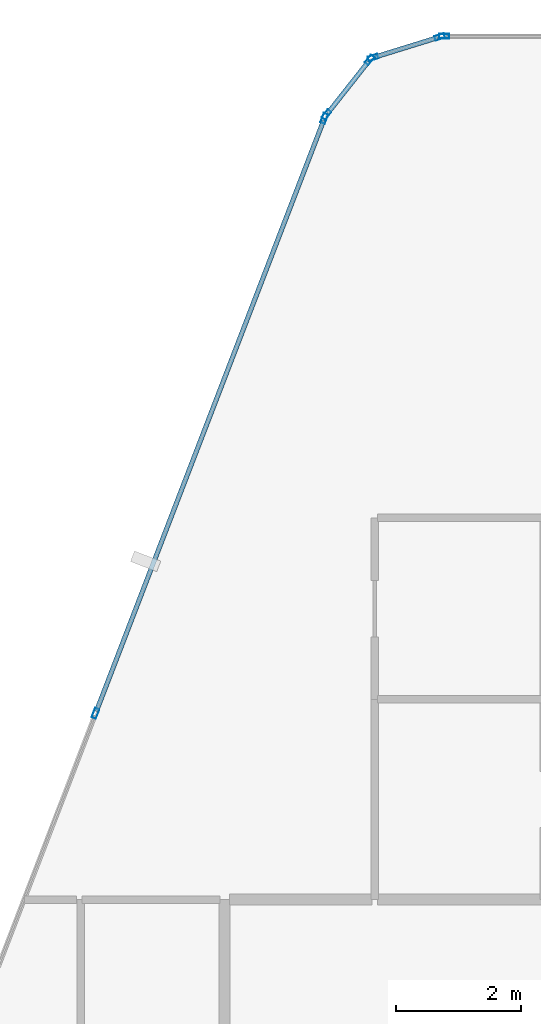
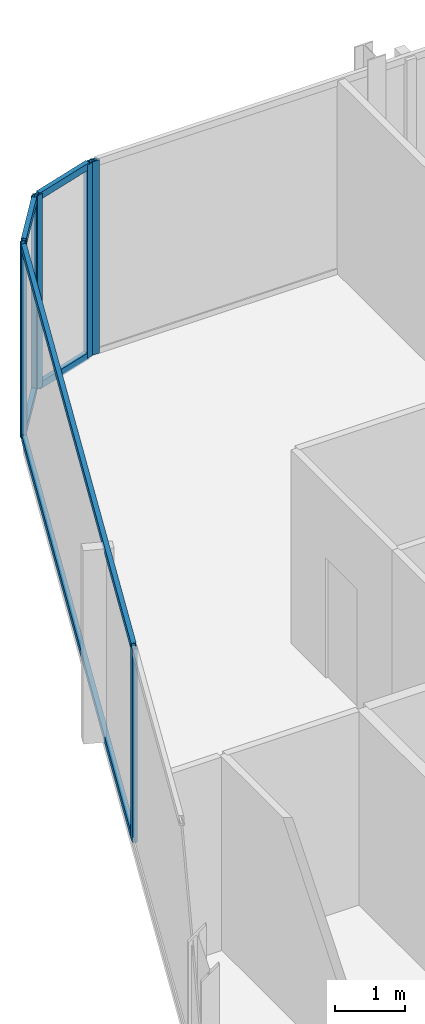
# One storey, part 17 of 30: 13 members, 4 elements without a shape of their own.
"""IFC4 building model written with IfcOpenShell, lengths in metres."""

from ifc_helpers import new_model, si_unit, direction, frame, origin, origin_2d, place, context, subcontext, project, spatial, hollow_rectangle, extrude, material, layer, layer_set, material_profile, profile_set, type_object, element, aggregate, save


model = new_model("IFC4")

# Units and contexts
model_context = context("Model", 3, precision=1e-05, world=origin(), true_north=direction((0.0, 1.0)))
body_context = subcontext(model_context, "Body", "Model", "MODEL_VIEW")
ifc_project = project(units=[si_unit("LENGTHUNIT", "METRE"), si_unit("AREAUNIT", "SQUARE_METRE"), si_unit("VOLUMEUNIT", "CUBIC_METRE"), si_unit("PLANEANGLEUNIT", "RADIAN"), si_unit("MASSUNIT", "GRAM", prefix="KILO")], contexts=[model_context])

# Site, building, storey
site_placement = place(None, origin())
site = spatial("IfcSite", under=ifc_project, at=site_placement, CompositionType="ELEMENT")
building_placement = place(site_placement, origin())
building = spatial("IfcBuilding", under=site, at=building_placement, Name="Keshet Zoharim Tower", CompositionType="ELEMENT")
storey_placement = place(building_placement, frame((0.0, 0.0, 280.60009765625)))
storey = spatial("IfcBuildingStorey", under=building, at=storey_placement, Name="L70", CompositionType="ELEMENT", Elevation=280.60009765625)

# Curtain wall, members
ifc_material = material(Name="Aluminium 6063-T6", Category="aluminium")
ifc_layer = layer(ifc_material, 0.260009765625)
ifc_layer_set = layer_set([ifc_layer], Name="Aluminium 6063-T6")
curtain_wall_type = type_object("IfcCurtainWallType", Name="CW-SYS-06", PredefinedType="NOTDEFINED", material=ifc_layer_set)
curtain_wall_1_placement = place(storey_placement, origin())
curtain_wall_1 = element("IfcCurtainWall", 1, at=curtain_wall_1_placement, inside=storey, type_object=curtain_wall_type, Name="L70 Unitised Curtain Wall 03", PredefinedType="NOTDEFINED")
ifc_material_profile_1 = material_profile(ifc_material, hollow_rectangle(XDim=0.074951171875, YDim=0.159912109375, WallThickness=0.00390625, at=origin_2d()), Name="MUL-75x160")
ifc_profile_set_1 = profile_set([ifc_material_profile_1], Name="Aluminium 6063-T6")
member_type_1 = type_object("IfcMemberType", Name="CWM-M15", PredefinedType="MULLION", material=ifc_profile_set_1)
member_1_placement = place(storey_placement, frame((10.8369140625, 43.076416015625, 0.0), z_axis=(0.0, 0.0, 1.0), x_axis=(-0.933341404361, 0.358990003907, 0.0)))
member_1 = element("IfcMember", 2, at=member_1_placement, type_object=member_type_1, Name="CW-06 mullion 3", PredefinedType="MULLION", context=body_context, shape_type="SweptSolid", body=[
    extrude(hollow_rectangle(XDim=0.074951171875, YDim=0.159912109375, WallThickness=0.00390625, at=origin_2d()), origin(), (0.0, 0.0, 1.0), 3.389892578125),
])
member_2_placement = place(storey_placement, frame((14.494384765625, 52.58544921875, 0.0), z_axis=(0.0, 0.0, 1.0), x_axis=(-0.933341404361, 0.358990003907, 0.0)))
member_2 = element("IfcMember", 3, at=member_2_placement, type_object=member_type_1, Name="CW-06 mullion 4", PredefinedType="MULLION", context=body_context, shape_type="SweptSolid", body=[
    extrude(hollow_rectangle(XDim=0.074951171875, YDim=0.159912109375, WallThickness=0.00390625, at=origin_2d()), origin(), (0.0, 0.0, 1.0), 3.389892578125),
])

curtain_wall_2_placement = place(storey_placement, origin())
curtain_wall_2 = element("IfcCurtainWall", 4, at=curtain_wall_2_placement, inside=storey, type_object=curtain_wall_type, Name="L70 Unitised Curtain Wall 04", PredefinedType="NOTDEFINED")
member_3_placement = place(storey_placement, frame((14.528564453125, 52.6455078125, 0.0), z_axis=(0.0, 0.0, 1.0), x_axis=(-0.785292825205, 0.619124525989, 0.0)))
member_3 = element("IfcMember", 5, at=member_3_placement, type_object=member_type_1, Name="CW-06 mullion 1", PredefinedType="MULLION", context=body_context, shape_type="SweptSolid", body=[
    extrude(hollow_rectangle(XDim=0.074951171875, YDim=0.159912109375, WallThickness=0.00390625, at=origin_2d()), origin(), (0.0, 0.0, 1.0), 3.389892578125),
])
member_4_placement = place(storey_placement, frame((15.21923828125, 53.521484375, 0.0), z_axis=(0.0, 0.0, 1.0), x_axis=(-0.785292825205, 0.619124525989, 0.0)))
member_4 = element("IfcMember", 6, at=member_4_placement, type_object=member_type_1, Name="CW-06 mullion 2", PredefinedType="MULLION", context=body_context, shape_type="SweptSolid", body=[
    extrude(hollow_rectangle(XDim=0.074951171875, YDim=0.159912109375, WallThickness=0.00390625, at=origin_2d()), origin(), (0.0, 0.0, 1.0), 3.389892578125),
])

curtain_wall_3_placement = place(storey_placement, origin())
curtain_wall_3 = element("IfcCurtainWall", 7, at=curtain_wall_3_placement, inside=storey, type_object=curtain_wall_type, Name="L70 Unitised Curtain Wall 05", PredefinedType="NOTDEFINED")
member_5_placement = place(storey_placement, frame((15.2744140625, 53.559326171875, 0.0), z_axis=(0.0, 0.0, 1.0), x_axis=(-0.295921857984, 0.955212151288, 0.0)))
member_5 = element("IfcMember", 8, at=member_5_placement, type_object=member_type_1, Name="CW-06 mullion 1", PredefinedType="MULLION", context=body_context, shape_type="SweptSolid", body=[
    extrude(hollow_rectangle(XDim=0.074951171875, YDim=0.159912109375, WallThickness=0.00390625, at=origin_2d()), origin(), (0.0, 0.0, 1.0), 3.389892578125),
])
member_6_placement = place(storey_placement, frame((16.340576171875, 53.8896484375, 0.0), z_axis=(0.0, 0.0, 1.0), x_axis=(-0.295921857984, 0.955212151288, 0.0)))
member_6 = element("IfcMember", 9, at=member_6_placement, type_object=member_type_1, Name="CW-06 mullion 2", PredefinedType="MULLION", context=body_context, shape_type="SweptSolid", body=[
    extrude(hollow_rectangle(XDim=0.074951171875, YDim=0.159912109375, WallThickness=0.00390625, at=origin_2d()), origin(), (0.0, 0.0, 1.0), 3.389892578125),
])

# Curtain wall, member
curtain_wall_4_placement = place(storey_placement, origin())
curtain_wall_4 = element("IfcCurtainWall", 10, at=curtain_wall_4_placement, inside=storey, type_object=curtain_wall_type, Name="L70 Unitised Curtain Wall 06", PredefinedType="NOTDEFINED")
member_7_placement = place(storey_placement, frame((16.408935546875, 53.89990234375, 0.0), z_axis=(0.0, 0.0, 1.0), x_axis=(0.0, 1.0, 0.0)))
member_7 = element("IfcMember", 11, at=member_7_placement, type_object=member_type_1, Name="CW-06 mullion 1", PredefinedType="MULLION", context=body_context, shape_type="SweptSolid", body=[
    extrude(hollow_rectangle(XDim=0.074951171875, YDim=0.159912109375, WallThickness=0.00390625, at=origin_2d()), origin(), (0.0, 0.0, 1.0), 3.389892578125),
])
aggregate(curtain_wall_4, [member_7])

# Member
ifc_material_profile_2 = material_profile(ifc_material, hollow_rectangle(XDim=0.074951171875, YDim=0.1201171875, WallThickness=0.00390625, at=origin_2d()), Name="TRN-75x120")
ifc_profile_set_2 = profile_set([ifc_material_profile_2], Name="Aluminium 6063-T6")
member_type_2 = type_object("IfcMemberType", Name="CWT-T12", PredefinedType="USERDEFINED", material=ifc_profile_set_2)
member_8_placement = place(storey_placement, frame((10.849609375, 43.10888671875, 0.034912109375), z_axis=(0.358985546764, 0.933343118694, 0.0), x_axis=(-0.933343118694, 0.358985546764, 0.0)))
member_8 = element("IfcMember", 12, at=member_8_placement, type_object=member_type_2, Name="CW-06 transom 3.1", ObjectType="TRANSOM", PredefinedType="USERDEFINED", context=body_context, shape_type="SweptSolid", body=[
    extrude(hollow_rectangle(XDim=0.074951171875, YDim=0.1201171875, WallThickness=0.00390625, at=origin_2d()), origin(), (0.0, 0.0, 1.0), 10.118408203125),
])

member_9_placement = place(storey_placement, frame((10.849609375, 43.10888671875, 3.35498046875), z_axis=(0.358985546764, 0.933343118694, 0.0), x_axis=(-0.933343118694, 0.358985546764, 0.0)))
member_9 = element("IfcMember", 13, at=member_9_placement, type_object=member_type_2, Name="CW-06 transom 3.2", ObjectType="TRANSOM", PredefinedType="USERDEFINED", context=body_context, shape_type="SweptSolid", body=[
    extrude(hollow_rectangle(XDim=0.074951171875, YDim=0.1201171875, WallThickness=0.00390625, at=origin_2d()), origin(), (0.0, 0.0, 1.0), 10.118408203125),
])

aggregate(curtain_wall_1, [member_1, member_2, member_8, member_9])

member_10_placement = place(storey_placement, frame((14.55029296875, 52.6728515625, 0.034912109375), z_axis=(0.619099165969, 0.78531281837, 0.0), x_axis=(-0.78531281837, 0.619099165969, 0.0)))
member_10 = element("IfcMember", 14, at=member_10_placement, type_object=member_type_2, Name="CW-06 transom 1.1", ObjectType="TRANSOM", PredefinedType="USERDEFINED", context=body_context, shape_type="SweptSolid", body=[
    extrude(hollow_rectangle(XDim=0.074951171875, YDim=0.1201171875, WallThickness=0.00390625, at=origin_2d()), origin(), (0.0, 0.0, 1.0), 1.0458984375),
])

member_11_placement = place(storey_placement, frame((14.55029296875, 52.6728515625, 3.35498046875), z_axis=(0.619099165969, 0.78531281837, 0.0), x_axis=(-0.78531281837, 0.619099165969, 0.0)))
member_11 = element("IfcMember", 15, at=member_11_placement, type_object=member_type_2, Name="CW-06 transom 1.2", ObjectType="TRANSOM", PredefinedType="USERDEFINED", context=body_context, shape_type="SweptSolid", body=[
    extrude(hollow_rectangle(XDim=0.074951171875, YDim=0.1201171875, WallThickness=0.00390625, at=origin_2d()), origin(), (0.0, 0.0, 1.0), 1.0458984375),
])

aggregate(curtain_wall_2, [member_3, member_4, member_10, member_11])

member_12_placement = place(storey_placement, frame((15.307861328125, 53.56982421875, 0.034912109375), z_axis=(0.955212093062, 0.295922045933, 0.0), x_axis=(-0.295922045933, 0.955212093062, 0.0)))
member_12 = element("IfcMember", 16, at=member_12_placement, type_object=member_type_2, Name="CW-06 transom 1.1", ObjectType="TRANSOM", PredefinedType="USERDEFINED", context=body_context, shape_type="SweptSolid", body=[
    extrude(hollow_rectangle(XDim=0.074951171875, YDim=0.1201171875, WallThickness=0.00390625, at=origin_2d()), origin(), (0.0, 0.0, 1.0), 1.046142578125),
])

member_13_placement = place(storey_placement, frame((15.307861328125, 53.56982421875, 3.35498046875), z_axis=(0.955212093062, 0.295922045933, 0.0), x_axis=(-0.295922045933, 0.955212093062, 0.0)))
member_13 = element("IfcMember", 17, at=member_13_placement, type_object=member_type_2, Name="CW-06 transom 1.2", ObjectType="TRANSOM", PredefinedType="USERDEFINED", context=body_context, shape_type="SweptSolid", body=[
    extrude(hollow_rectangle(XDim=0.074951171875, YDim=0.1201171875, WallThickness=0.00390625, at=origin_2d()), origin(), (0.0, 0.0, 1.0), 1.046142578125),
])

aggregate(curtain_wall_3, [member_5, member_6, member_12, member_13])

save(model, "model.ifc")
